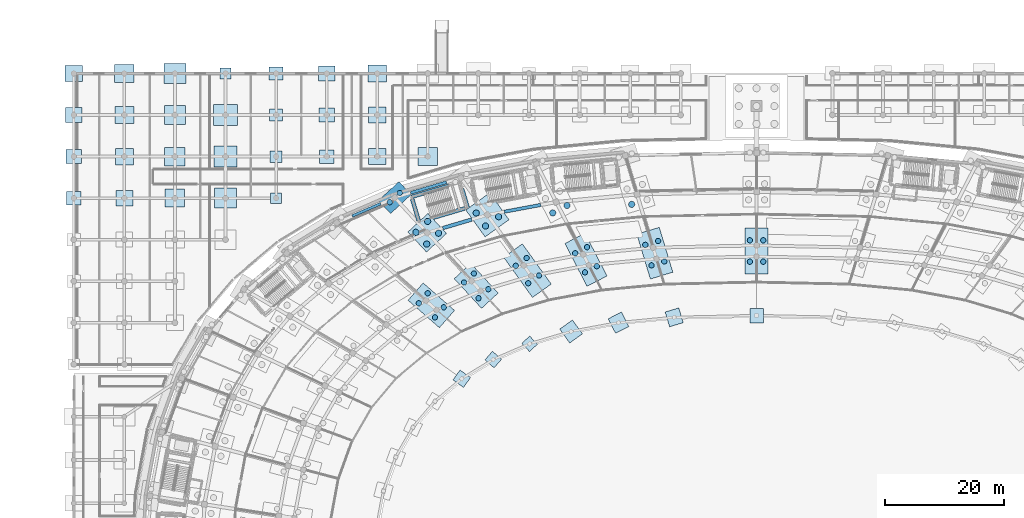
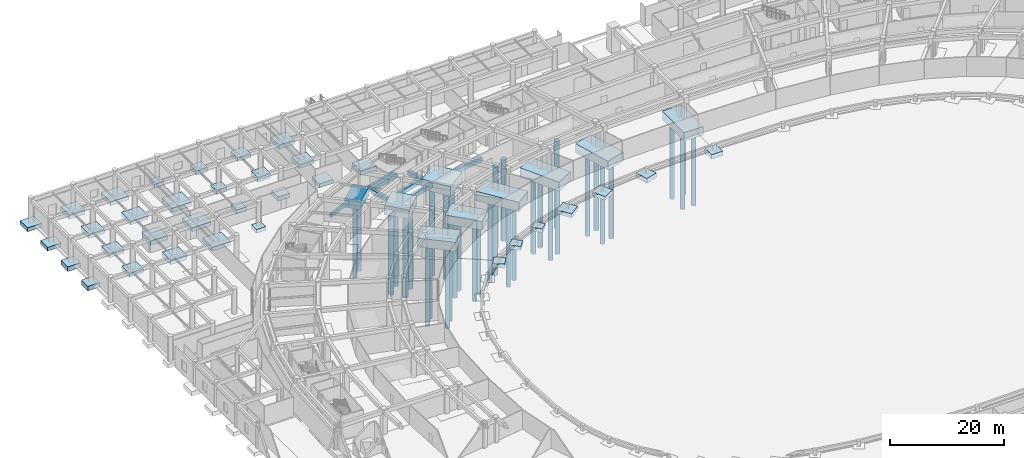
# One storey, part 10 of 88: 51 footings, 36 piles.
"""IFC4 building model written with IfcOpenShell, lengths in metres."""

from ifc_helpers import new_model, si_unit, direction, frame, origin, origin_2d, place, context, subcontext, project, spatial, rectangle, circle, extrude, material, material_profile, profile_set, type_object, element, save


model = new_model("IFC4")

# Units and contexts
model_context = context("Model", 3, precision=1e-05, world=origin(), true_north=direction((0.0, 1.0)))
body_context = subcontext(model_context, "Body", "Model", "MODEL_VIEW")
ifc_project = project(units=[si_unit("LENGTHUNIT", "METRE"), si_unit("AREAUNIT", "SQUARE_METRE"), si_unit("VOLUMEUNIT", "CUBIC_METRE"), si_unit("PLANEANGLEUNIT", "RADIAN"), si_unit("MASSUNIT", "GRAM", prefix="KILO")], contexts=[model_context])

# Site, building, storey
site_placement = place(None, origin())
site = spatial("IfcSite", under=ifc_project, at=site_placement, CompositionType="ELEMENT")
building_placement = place(site_placement, origin())
building = spatial("IfcBuilding", under=site, at=building_placement, Name="Mphavela Belvedere Stadium", CompositionType="ELEMENT")
storey_placement = place(building_placement, origin())
storey = spatial("IfcBuildingStorey", under=building, at=storey_placement, Name="L00", CompositionType="ELEMENT", Elevation=0.0)

# Footings
ifc_material_1 = material(Name="Concrete C35/45", Category="concrete")
footing_type_1 = type_object("IfcFootingType", Name="FTG-CORE-CF06", PredefinedType="PAD_FOOTING", material=ifc_material_1)
footing_1_placement = place(storey_placement, frame((65.869384765625, 152.991455078125, -0.89990234375), z_axis=(0.0, 0.0, 1.0), x_axis=(-0.284517342588, 0.958670893355, 0.0)))
element("IfcFooting", 1, at=footing_1_placement, inside=storey, type_object=footing_type_1, Name="Core P03 shear wall foundation pad right", PredefinedType="PAD_FOOTING", context=body_context, shape_type="SweptSolid", body=[
    extrude(rectangle(XDim=3.25, YDim=0.64990234375, at=origin_2d()), origin(), (0.0, 0.0, 1.0), 0.89990234375),
])
ifc_material_2 = material(Name="Concrete C35/45", Category="concrete")
footing_type_2 = type_object("IfcFootingType", Name="FTG-CORE-CF08", PredefinedType="PAD_FOOTING", material=ifc_material_2)
footing_2_placement = place(storey_placement, frame((57.540283203125, 151.039794921875, -0.89990234375), z_axis=(0.0, 0.0, 1.0), x_axis=(-0.284517342588, 0.958670893355, 0.0)))
element("IfcFooting", 2, at=footing_2_placement, inside=storey, type_object=footing_type_2, Name="Core P03 shear wall foundation pad left", PredefinedType="PAD_FOOTING", context=body_context, shape_type="SweptSolid", body=[
    extrude(rectangle(XDim=3.75, YDim=0.64990234375, at=origin_2d()), origin(), (0.0, 0.0, 1.0), 0.89990234375),
])
ifc_material_3 = material(Name="Concrete C35/45", Category="concrete")
footing_type_3 = type_object("IfcFootingType", Name="FTG-CORE-CF12", PredefinedType="PAD_FOOTING", material=ifc_material_3)
footing_3_placement = place(storey_placement, frame((63.22412109375, 150.4921875, -0.89990234375), z_axis=(0.0, 0.0, 1.0), x_axis=(0.958670893355, 0.284517342588, 0.0)))
element("IfcFooting", 3, at=footing_3_placement, inside=storey, type_object=footing_type_3, Name="Core P03 shear wall foundation pad front", PredefinedType="PAD_FOOTING", context=body_context, shape_type="SweptSolid", body=[
    extrude(rectangle(XDim=5.5, YDim=0.64990234375, at=origin_2d()), origin(), (0.0, 0.0, 1.0), 0.89990234375),
])
ifc_material_4 = material(Name="Concrete C35/45", Category="concrete")
footing_type_4 = type_object("IfcFootingType", Name="FTG-CORE-CF16", PredefinedType="PAD_FOOTING", material=ifc_material_4)
footing_4_placement = place(storey_placement, frame((60.02978515625, 154.144287109375, -0.89990234375), z_axis=(0.0, 0.0, 1.0), x_axis=(0.958670893355, 0.284517342588, 0.0)))
element("IfcFooting", 4, at=footing_4_placement, inside=storey, type_object=footing_type_4, Name="Core P03 shear wall foundation pad rear", PredefinedType="PAD_FOOTING", context=body_context, shape_type="SweptSolid", body=[
    extrude(rectangle(XDim=6.5, YDim=0.64990234375, at=origin_2d()), origin(), (0.0, 0.0, 1.0), 0.89990234375),
])
ifc_material_5 = material(Name="Concrete C35/45", Category="concrete")
ifc_material_profile_1 = material_profile(ifc_material_5, rectangle(XDim=0.449951171875, YDim=0.75, at=origin_2d()), Name="GB 450x750")
ifc_profile_set_1 = profile_set([ifc_material_profile_1], Name="Concrete C35/45")
footing_type_5 = type_object("IfcFootingType", Name="FTG-GB-01", PredefinedType="FOOTING_BEAM", material=ifc_profile_set_1)
footing_5_placement = place(storey_placement, frame((51.673828125, 152.055908203125, -0.5), z_axis=(-0.91748716099, -0.397765394949, 0.0), x_axis=(0.397765394949, -0.91748716099, 0.0)))
element("IfcFooting", 5, at=footing_5_placement, inside=storey, type_object=footing_type_5, Name="Ground tie-beam R4-17", PredefinedType="FOOTING_BEAM", context=body_context, shape_type="SweptSolid", body=[
    extrude(rectangle(XDim=0.449951171875, YDim=0.75, at=origin_2d()), origin(), (0.0, 0.0, 1.0), 5.204833984375),
])
ifc_material_6 = material(Name="Concrete C35/45", Category="concrete")
ifc_material_profile_2 = material_profile(ifc_material_6, rectangle(XDim=0.5, YDim=0.800048828125, at=origin_2d()), Name="GB 500x800")
ifc_profile_set_2 = profile_set([ifc_material_profile_2], Name="Concrete C35/45")
footing_type_6 = type_object("IfcFootingType", Name="FTG-GB-02", PredefinedType="FOOTING_BEAM", material=ifc_profile_set_2)
footing_6_placement = place(storey_placement, frame((62.77294921875, 155.6767578125, -0.5), z_axis=(-0.958663693335, -0.284541601671, 0.0), x_axis=(0.284541601671, -0.958663693335, 0.0)))
element("IfcFooting", 6, at=footing_6_placement, inside=storey, type_object=footing_type_6, Name="Ground tie-beam R4-16", PredefinedType="FOOTING_BEAM", context=body_context, shape_type="SweptSolid", body=[
    extrude(rectangle(XDim=0.5, YDim=0.800048828125, at=origin_2d()), origin(), (0.0, 0.0, 1.0), 6.30810546875),
])
ifc_material_7 = material(Name="Concrete C35/45", Category="concrete")
ifc_material_profile_3 = material_profile(ifc_material_7, rectangle(XDim=0.550048828125, YDim=0.85009765625, at=origin_2d()), Name="GB 550x850")
ifc_profile_set_3 = profile_set([ifc_material_profile_3], Name="Concrete C35/45")
footing_type_7 = type_object("IfcFootingType", Name="FTG-GB-03", PredefinedType="FOOTING_BEAM", material=ifc_profile_set_3)
footing_7_placement = place(storey_placement, frame((78.648681640625, 151.85107421875, -0.550048828125), z_axis=(-0.983093519993, -0.18310415328, 0.0), x_axis=(0.18310415328, -0.983093519993, 0.0)))
element("IfcFooting", 7, at=footing_7_placement, inside=storey, type_object=footing_type_7, Name="Ground tie-beam R3-15", PredefinedType="FOOTING_BEAM", context=body_context, shape_type="SweptSolid", body=[
    extrude(rectangle(XDim=0.550048828125, YDim=0.85009765625, at=origin_2d()), origin(), (0.0, 0.0, 1.0), 6.236083984375),
])
ifc_material_8 = material(Name="Concrete C35/45", Category="concrete")
ifc_material_profile_4 = material_profile(ifc_material_8, rectangle(XDim=0.60009765625, YDim=0.89990234375, at=origin_2d()), Name="GB 600x900")
ifc_profile_set_4 = profile_set([ifc_material_profile_4], Name="Concrete C35/45")
footing_type_8 = type_object("IfcFootingType", Name="FTG-GB-04", PredefinedType="FOOTING_BEAM", material=ifc_profile_set_4)
footing_8_placement = place(storey_placement, frame((67.01171875, 149.390625, -0.550048828125), z_axis=(-0.958664744545, -0.28453805996, 0.0), x_axis=(0.28453805996, -0.958664744545, 0.0)))
element("IfcFooting", 8, at=footing_8_placement, inside=storey, type_object=footing_type_8, Name="Ground tie-beam R3-16", PredefinedType="FOOTING_BEAM", context=body_context, shape_type="SweptSolid", body=[
    extrude(rectangle(XDim=0.60009765625, YDim=0.89990234375, at=origin_2d()), origin(), (0.0, 0.0, 1.0), 5.06396484375),
])
ifc_material_9 = material(Name="Concrete C35/45", Category="concrete")
footing_type_9 = type_object("IfcFootingType", Name="FTG-PAD-01", PredefinedType="PAD_FOOTING", material=ifc_material_9)
for number, where, z_axis, x_axis, name in (
    (9, (76.770263671875, 128.462890625, -0.7998046875), (0.0, 0.0, 1.0), (-0.677903094969, 0.735151272753, 0.0), "Tier front pad footing 17"),
    (10, (25.555908203125, 174.0, -0.7998046875), (0.0, 0.0, 1.0), (1.0, 0.0, 0.0), "North Mast and Ceremonial End Forecourt pad footing 4-8"),
    (11, (34.073974609375, 153.0, -0.7998046875), (0.0, 0.0, 1.0), (1.0, 0.0, 0.0), "North Mast and Ceremonial End Forecourt pad footing 5-5"),
):
    element("IfcFooting", number, at=place(storey_placement, frame(where, z_axis=z_axis, x_axis=x_axis)), inside=storey, type_object=footing_type_9, Name=name, PredefinedType="PAD_FOOTING", context=body_context, shape_type="SweptSolid", body=[
        extrude(rectangle(XDim=1.89990234375, YDim=1.800048828125, at=origin_2d()), origin(), (0.0, 0.0, 1.0), 0.800048828125),
    ])
ifc_material_10 = material(Name="Concrete C35/45", Category="concrete")
footing_type_10 = type_object("IfcFootingType", Name="FTG-PAD-02", PredefinedType="PAD_FOOTING", material=ifc_material_10)
for number, where, z_axis, x_axis, name in (
    (12, (70.648193359375, 125.80908203125, -0.83984375), (0.0, 0.0, 1.0), (-0.752529860433, 0.658558128912, 0.0), "Tier front pad footing 18"),
    (13, (34.073974609375, 160.0, -0.83984375), (0.0, 0.0, 1.0), (1.0, 0.0, 0.0), "North Mast and Ceremonial End Forecourt pad footing 5-6"),
):
    element("IfcFooting", number, at=place(storey_placement, frame(where, z_axis=z_axis, x_axis=x_axis)), inside=storey, type_object=footing_type_10, Name=name, PredefinedType="PAD_FOOTING", context=body_context, shape_type="SweptSolid", body=[
        extrude(rectangle(XDim=2.0400390625, YDim=1.919921875, at=origin_2d()), origin(), (0.0, 0.0, 1.0), 0.840087890625),
    ])
ifc_material_11 = material(Name="Concrete C35/45", Category="concrete")
footing_type_11 = type_object("IfcFootingType", Name="FTG-PAD-03", PredefinedType="PAD_FOOTING", material=ifc_material_11)
for number, where, z_axis, x_axis, name in (
    (14, (65.341064453125, 122.580322265625, -0.8798828125), (0.0, 0.0, 1.0), (-0.812897512265, 0.582406760395, 0.0), "Tier front pad footing 19"),
    (15, (34.073974609375, 167.0, -0.8798828125), (0.0, 0.0, 1.0), (1.0, 0.0, 0.0), "North Mast and Ceremonial End Forecourt pad footing 5-7"),
):
    element("IfcFooting", number, at=place(storey_placement, frame(where, z_axis=z_axis, x_axis=x_axis)), inside=storey, type_object=footing_type_11, Name=name, PredefinedType="PAD_FOOTING", context=body_context, shape_type="SweptSolid", body=[
        extrude(rectangle(XDim=2.179931640625, YDim=2.0400390625, at=origin_2d()), origin(), (0.0, 0.0, 1.0), 0.8798828125),
    ])
ifc_material_12 = material(Name="Concrete C35/45", Category="concrete")
footing_type_12 = type_object("IfcFootingType", Name="FTG-PAD-04", PredefinedType="PAD_FOOTING", material=ifc_material_12)
footing_9_placement = place(storey_placement, frame((34.073974609375, 174.0, -0.919921875), z_axis=(0.0, 0.0, 1.0), x_axis=(1.0, 0.0, 0.0)))
element("IfcFooting", 16, at=footing_9_placement, inside=storey, type_object=footing_type_12, Name="North Mast and Ceremonial End Forecourt pad footing 5-8", PredefinedType="PAD_FOOTING", context=body_context, shape_type="SweptSolid", body=[
    extrude(rectangle(XDim=2.320068359375, YDim=2.159912109375, at=origin_2d()), origin(), (0.0, 0.0, 1.0), 0.919921875),
])
ifc_material_13 = material(Name="Concrete C35/45", Category="concrete")
footing_type_13 = type_object("IfcFootingType", Name="FTG-PAD-05", PredefinedType="PAD_FOOTING", material=ifc_material_13)
for number, where, z_axis, x_axis, name in (
    (17, (115.0, 133.217529296875, -0.9599609375), (0.0, 0.0, 1.0), (0.0, 1.0, 0.0), "Tier front pad footing 13"),
    (18, (0.0, 153.0, -0.9599609375), (0.0, 0.0, 1.0), (1.0, 0.0, 0.0), "North Mast and Ceremonial End Forecourt pad footing 1-5"),
    (19, (42.593017578125, 160.0, -0.9599609375), (0.0, 0.0, 1.0), (1.0, 0.0, 0.0), "North Mast and Ceremonial End Forecourt pad footing 6-6"),
):
    element("IfcFooting", number, at=place(storey_placement, frame(where, z_axis=z_axis, x_axis=x_axis)), inside=storey, type_object=footing_type_13, Name=name, PredefinedType="PAD_FOOTING", context=body_context, shape_type="SweptSolid", body=[
        extrude(rectangle(XDim=2.4599609375, YDim=2.280029296875, at=origin_2d()), origin(), (0.0, 0.0, 1.0), 0.9599609375),
    ])
ifc_material_14 = material(Name="Concrete C35/45", Category="concrete")
footing_type_14 = type_object("IfcFootingType", Name="FTG-PAD-06", PredefinedType="PAD_FOOTING", material=ifc_material_14)
for number, where, z_axis, x_axis, name in (
    (20, (101.126220703125, 132.918701171875, -1.0), (0.0, 0.0, 1.0), (-0.289198876314, 0.957269037387, 0.0), "Tier front pad footing 14"),
    (21, (0.0, 160.0, -1.0), (0.0, 0.0, 1.0), (1.0, 0.0, 0.0), "North Mast and Ceremonial End Forecourt pad footing 1-6"),
    (22, (42.593017578125, 167.0, -1.0), (0.0, 0.0, 1.0), (1.0, 0.0, 0.0), "North Mast and Ceremonial End Forecourt pad footing 6-7"),
):
    element("IfcFooting", number, at=place(storey_placement, frame(where, z_axis=z_axis, x_axis=x_axis)), inside=storey, type_object=footing_type_14, Name=name, PredefinedType="PAD_FOOTING", context=body_context, shape_type="SweptSolid", body=[
        extrude(rectangle(XDim=2.60009765625, YDim=2.39990234375, at=origin_2d()), origin(), (0.0, 0.0, 1.0), 1.0),
    ])
ifc_material_15 = material(Name="Concrete C35/45", Category="concrete")
footing_type_15 = type_object("IfcFootingType", Name="FTG-PAD-07", PredefinedType="PAD_FOOTING", material=ifc_material_15)
for number, where, z_axis, x_axis, name in (
    (23, (91.741943359375, 132.02392578125, -0.7998046875), (0.0, 0.0, 1.0), (-0.458959712465, 0.888457079624, 0.0), "Tier front pad footing 15"),
    (24, (0.0, 167.0, -0.7998046875), (0.0, 0.0, 1.0), (1.0, 0.0, 0.0), "North Mast and Ceremonial End Forecourt pad footing 1-7"),
    (25, (42.593017578125, 174.0, -0.7998046875), (0.0, 0.0, 1.0), (1.0, 0.0, 0.0), "North Mast and Ceremonial End Forecourt pad footing 6-8"),
):
    element("IfcFooting", number, at=place(storey_placement, frame(where, z_axis=z_axis, x_axis=x_axis)), inside=storey, type_object=footing_type_15, Name=name, PredefinedType="PAD_FOOTING", context=body_context, shape_type="SweptSolid", body=[
        extrude(rectangle(XDim=2.739990234375, YDim=2.52001953125, at=origin_2d()), origin(), (0.0, 0.0, 1.0), 0.800048828125),
    ])
ifc_material_16 = material(Name="Concrete C35/45", Category="concrete")
footing_type_16 = type_object("IfcFootingType", Name="FTG-PAD-08", PredefinedType="PAD_FOOTING", material=ifc_material_16)
for number, where, z_axis, x_axis, name in (
    (26, (83.7568359375, 130.53662109375, -0.83984375), (0.0, 0.0, 1.0), (-0.582974127943, 0.812490717577, 0.0), "Tier front pad footing 16"),
    (27, (0.0, 174.0, -0.83984375), (0.0, 0.0, 1.0), (1.0, 0.0, 0.0), "North Mast and Ceremonial End Forecourt pad footing 1-8"),
    (28, (8.51904296875, 153.0, -0.83984375), (0.0, 0.0, 1.0), (1.0, 0.0, 0.0), "North Mast and Ceremonial End Forecourt pad footing 2-5"),
    (29, (51.111083984375, 160.0, -0.83984375), (0.0, 0.0, 1.0), (1.0, 0.0, 0.0), "North Mast and Ceremonial End Forecourt pad footing 7-6"),
):
    element("IfcFooting", number, at=place(storey_placement, frame(where, z_axis=z_axis, x_axis=x_axis)), inside=storey, type_object=footing_type_16, Name=name, PredefinedType="PAD_FOOTING", context=body_context, shape_type="SweptSolid", body=[
        extrude(rectangle(XDim=2.8798828125, YDim=2.639892578125, at=origin_2d()), origin(), (0.0, 0.0, 1.0), 0.840087890625),
    ])
ifc_material_17 = material(Name="Concrete C35/45", Category="concrete")
footing_type_17 = type_object("IfcFootingType", Name="FTG-PAD-09", PredefinedType="PAD_FOOTING", material=ifc_material_17)
for number, where, z_axis, x_axis, name in (
    (30, (8.51904296875, 160.0, -0.8798828125), (0.0, 0.0, 1.0), (1.0, 0.0, 0.0), "North Mast and Ceremonial End Forecourt pad footing 2-6"),
    (31, (51.111083984375, 167.0, -0.8798828125), (0.0, 0.0, 1.0), (1.0, 0.0, 0.0), "North Mast and Ceremonial End Forecourt pad footing 7-7"),
):
    element("IfcFooting", number, at=place(storey_placement, frame(where, z_axis=z_axis, x_axis=x_axis)), inside=storey, type_object=footing_type_17, Name=name, PredefinedType="PAD_FOOTING", context=body_context, shape_type="SweptSolid", body=[
        extrude(rectangle(XDim=3.02001953125, YDim=2.760009765625, at=origin_2d()), origin(), (0.0, 0.0, 1.0), 0.8798828125),
    ])
ifc_material_18 = material(Name="Concrete C35/45", Category="concrete")
footing_type_18 = type_object("IfcFootingType", Name="FTG-PAD-10", PredefinedType="PAD_FOOTING", material=ifc_material_18)
for number, where, z_axis, x_axis, name in (
    (32, (8.51904296875, 167.0, -0.919921875), (0.0, 0.0, 1.0), (1.0, 0.0, 0.0), "North Mast and Ceremonial End Forecourt pad footing 2-7"),
    (33, (51.111083984375, 174.0, -0.919921875), (0.0, 0.0, 1.0), (1.0, 0.0, 0.0), "North Mast and Ceremonial End Forecourt pad footing 7-8"),
):
    element("IfcFooting", number, at=place(storey_placement, frame(where, z_axis=z_axis, x_axis=x_axis)), inside=storey, type_object=footing_type_18, Name=name, PredefinedType="PAD_FOOTING", context=body_context, shape_type="SweptSolid", body=[
        extrude(rectangle(XDim=3.159912109375, YDim=2.8798828125, at=origin_2d()), origin(), (0.0, 0.0, 1.0), 0.919921875),
    ])
ifc_material_19 = material(Name="Concrete C35/45", Category="concrete")
footing_type_19 = type_object("IfcFootingType", Name="FTG-PAD-11", PredefinedType="PAD_FOOTING", material=ifc_material_19)
for number, where, z_axis, x_axis, name in (
    (34, (8.51904296875, 174.0, -0.9599609375), (0.0, 0.0, 1.0), (1.0, 0.0, 0.0), "North Mast and Ceremonial End Forecourt pad footing 2-8"),
    (35, (17.037109375, 153.0, -0.9599609375), (0.0, 0.0, 1.0), (1.0, 0.0, 0.0), "North Mast and Ceremonial End Forecourt pad footing 3-5"),
    (36, (59.6298828125, 160.0, -0.9599609375), (0.0, 0.0, 1.0), (1.0, 0.0, 0.0), "North Mast and Ceremonial End Forecourt pad footing 8-6"),
):
    element("IfcFooting", number, at=place(storey_placement, frame(where, z_axis=z_axis, x_axis=x_axis)), inside=storey, type_object=footing_type_19, Name=name, PredefinedType="PAD_FOOTING", context=body_context, shape_type="SweptSolid", body=[
        extrude(rectangle(XDim=3.300048828125, YDim=3.0, at=origin_2d()), origin(), (0.0, 0.0, 1.0), 0.9599609375),
    ])
ifc_material_20 = material(Name="Concrete C35/45", Category="concrete")
footing_type_20 = type_object("IfcFootingType", Name="FTG-PAD-12", PredefinedType="PAD_FOOTING", material=ifc_material_20)
footing_10_placement = place(storey_placement, frame((17.037109375, 160.0, -1.0), z_axis=(0.0, 0.0, 1.0), x_axis=(1.0, 0.0, 0.0)))
element("IfcFooting", 37, at=footing_10_placement, inside=storey, type_object=footing_type_20, Name="North Mast and Ceremonial End Forecourt pad footing 3-6", PredefinedType="PAD_FOOTING", context=body_context, shape_type="SweptSolid", body=[
    extrude(rectangle(XDim=3.43994140625, YDim=3.1201171875, at=origin_2d()), origin(), (0.0, 0.0, 1.0), 1.0),
])
ifc_material_21 = material(Name="Concrete C35/45", Category="concrete")
footing_type_21 = type_object("IfcFootingType", Name="FTG-PAD-13", PredefinedType="PAD_FOOTING", material=ifc_material_21)
footing_11_placement = place(storey_placement, frame((17.037109375, 167.0, -0.7998046875), z_axis=(0.0, 0.0, 1.0), x_axis=(1.0, 0.0, 0.0)))
element("IfcFooting", 38, at=footing_11_placement, inside=storey, type_object=footing_type_21, Name="North Mast and Ceremonial End Forecourt pad footing 3-7", PredefinedType="PAD_FOOTING", context=body_context, shape_type="SweptSolid", body=[
    extrude(rectangle(XDim=3.580078125, YDim=3.239990234375, at=origin_2d()), origin(), (0.0, 0.0, 1.0), 0.800048828125),
])
ifc_material_22 = material(Name="Concrete C35/45", Category="concrete")
footing_type_22 = type_object("IfcFootingType", Name="FTG-PAD-14", PredefinedType="PAD_FOOTING", material=ifc_material_22)
for number, where, z_axis, x_axis, name in (
    (39, (17.037109375, 174.0, -0.83984375), (0.0, 0.0, 1.0), (1.0, 0.0, 0.0), "North Mast and Ceremonial End Forecourt pad footing 3-8"),
    (40, (25.555908203125, 153.0, -0.83984375), (0.0, 0.0, 1.0), (1.0, 0.0, 0.0), "North Mast and Ceremonial End Forecourt pad footing 4-5"),
):
    element("IfcFooting", number, at=place(storey_placement, frame(where, z_axis=z_axis, x_axis=x_axis)), inside=storey, type_object=footing_type_22, Name=name, PredefinedType="PAD_FOOTING", context=body_context, shape_type="SweptSolid", body=[
        extrude(rectangle(XDim=3.719970703125, YDim=3.360107421875, at=origin_2d()), origin(), (0.0, 0.0, 1.0), 0.840087890625),
    ])
ifc_material_23 = material(Name="Concrete C35/45", Category="concrete")
footing_type_23 = type_object("IfcFootingType", Name="FTG-PAD-15", PredefinedType="PAD_FOOTING", material=ifc_material_23)
footing_12_placement = place(storey_placement, frame((25.555908203125, 160.0, -0.8798828125), z_axis=(0.0, 0.0, 1.0), x_axis=(1.0, 0.0, 0.0)))
element("IfcFooting", 41, at=footing_12_placement, inside=storey, type_object=footing_type_23, Name="North Mast and Ceremonial End Forecourt pad footing 4-6", PredefinedType="PAD_FOOTING", context=body_context, shape_type="SweptSolid", body=[
    extrude(rectangle(XDim=3.860107421875, YDim=3.47998046875, at=origin_2d()), origin(), (0.0, 0.0, 1.0), 0.8798828125),
])
ifc_material_24 = material(Name="Concrete C35/45", Category="concrete")
footing_type_24 = type_object("IfcFootingType", Name="FTG-PAD-16", PredefinedType="PAD_FOOTING", material=ifc_material_24)
footing_13_placement = place(storey_placement, frame((25.555908203125, 167.0, -0.919921875), z_axis=(0.0, 0.0, 1.0), x_axis=(1.0, 0.0, 0.0)))
element("IfcFooting", 42, at=footing_13_placement, inside=storey, type_object=footing_type_24, Name="North Mast and Ceremonial End Forecourt pad footing 4-7", PredefinedType="PAD_FOOTING", context=body_context, shape_type="SweptSolid", body=[
    extrude(rectangle(XDim=4.0, YDim=3.60009765625, at=origin_2d()), origin(), (0.0, 0.0, 1.0), 0.919921875),
])
ifc_material_25 = material(Name="Concrete C35/45", Category="concrete")
footing_type_25 = type_object("IfcFootingType", Name="FTG-PC-R12-01", PredefinedType="PILE_CAP", material=ifc_material_25)
footing_14_placement = place(storey_placement, frame((67.7734375, 138.220703125, -1.85009765625), z_axis=(0.0, 0.0, 1.0), x_axis=(-0.677903094969, 0.735151272753, 0.0)))
element("IfcFooting", 43, at=footing_14_placement, inside=storey, type_object=footing_type_25, Name="Bowl inner pile cap 17", PredefinedType="PILE_CAP", context=body_context, shape_type="SweptSolid", body=[
    extrude(rectangle(XDim=6.800048828125, YDim=3.800048828125, at=origin_2d()), origin(), (0.0, 0.0, 1.0), 1.85009765625),
])
ifc_material_26 = material(Name="Concrete C35/45", Category="concrete")
footing_type_26 = type_object("IfcFootingType", Name="FTG-PC-R12-02", PredefinedType="PILE_CAP", material=ifc_material_26)
footing_15_placement = place(storey_placement, frame((60.21044921875, 134.9423828125, -1.91015625), z_axis=(0.0, 0.0, 1.0), x_axis=(-0.752529860433, 0.658558128912, 0.0)))
element("IfcFooting", 44, at=footing_15_placement, inside=storey, type_object=footing_type_26, Name="Bowl inner pile cap 18", PredefinedType="PILE_CAP", context=body_context, shape_type="SweptSolid", body=[
    extrude(rectangle(XDim=7.02001953125, YDim=3.8798828125, at=origin_2d()), origin(), (0.0, 0.0, 1.0), 1.909912109375),
])
ifc_material_27 = material(Name="Concrete C35/45", Category="concrete")
footing_type_27 = type_object("IfcFootingType", Name="FTG-PC-R12-05", PredefinedType="PILE_CAP", material=ifc_material_27)
footing_16_placement = place(storey_placement, frame((115.0, 144.09423828125, -1.85009765625), z_axis=(0.0, 0.0, 1.0), x_axis=(0.0, 1.0, 0.0)))
element("IfcFooting", 45, at=footing_16_placement, inside=storey, type_object=footing_type_27, Name="Bowl inner pile cap 13", PredefinedType="PILE_CAP", context=body_context, shape_type="SweptSolid", body=[
    extrude(rectangle(XDim=7.679931640625, YDim=3.8798828125, at=origin_2d()), origin(), (0.0, 0.0, 1.0), 1.85009765625),
])
ifc_material_28 = material(Name="Concrete C35/45", Category="concrete")
footing_type_28 = type_object("IfcFootingType", Name="FTG-PC-R12-06", PredefinedType="PILE_CAP", material=ifc_material_28)
footing_17_placement = place(storey_placement, frame((97.861083984375, 143.72509765625, -1.91015625), z_axis=(0.0, 0.0, 1.0), x_axis=(-0.289198876314, 0.957269037387, 0.0)))
element("IfcFooting", 46, at=footing_17_placement, inside=storey, type_object=footing_type_28, Name="Bowl inner pile cap 14", PredefinedType="PILE_CAP", context=body_context, shape_type="SweptSolid", body=[
    extrude(rectangle(XDim=7.89990234375, YDim=3.9599609375, at=origin_2d()), origin(), (0.0, 0.0, 1.0), 1.909912109375),
])
ifc_material_29 = material(Name="Concrete C35/45", Category="concrete")
footing_type_29 = type_object("IfcFootingType", Name="FTG-PC-R12-07", PredefinedType="PILE_CAP", material=ifc_material_29)
footing_18_placement = place(storey_placement, frame((86.2685546875, 142.619873046875, -1.97021484375), z_axis=(0.0, 0.0, 1.0), x_axis=(-0.458959712465, 0.888457079624, 0.0)))
element("IfcFooting", 47, at=footing_18_placement, inside=storey, type_object=footing_type_29, Name="Bowl inner pile cap 15", PredefinedType="PILE_CAP", context=body_context, shape_type="SweptSolid", body=[
    extrude(rectangle(XDim=8.1201171875, YDim=3.800048828125, at=origin_2d()), origin(), (0.0, 0.0, 1.0), 1.969970703125),
])
ifc_material_30 = material(Name="Concrete C35/45", Category="concrete")
footing_type_30 = type_object("IfcFootingType", Name="FTG-PC-R12-08", PredefinedType="PILE_CAP", material=ifc_material_30)
footing_19_placement = place(storey_placement, frame((76.404052734375, 140.78271484375, -2.02978515625), z_axis=(0.0, 0.0, 1.0), x_axis=(-0.582974127943, 0.812490717577, 0.0)))
element("IfcFooting", 48, at=footing_19_placement, inside=storey, type_object=footing_type_30, Name="Bowl inner pile cap 16", PredefinedType="PILE_CAP", context=body_context, shape_type="SweptSolid", body=[
    extrude(rectangle(XDim=8.340087890625, YDim=3.8798828125, at=origin_2d()), origin(), (0.0, 0.0, 1.0), 2.030029296875),
])
ifc_material_31 = material(Name="Concrete C35/45", Category="concrete")
footing_type_31 = type_object("IfcFootingType", Name="FTG-PC-R3-01", PredefinedType="PILE_CAP", material=ifc_material_31)
footing_20_placement = place(storey_placement, frame((59.523681640625, 147.16796875, -1.9501953125), z_axis=(0.0, 0.0, 1.0), x_axis=(-0.677903094969, 0.735151272753, 0.0)))
element("IfcFooting", 49, at=footing_20_placement, inside=storey, type_object=footing_type_31, Name="Bowl main pile cap 17", PredefinedType="PILE_CAP", context=body_context, shape_type="SweptSolid", body=[
    extrude(rectangle(XDim=4.60009765625, YDim=4.60009765625, at=origin_2d()), origin(), (0.0, 0.0, 1.0), 1.949951171875),
])
ifc_material_32 = material(Name="Concrete C35/45", Category="concrete")
footing_type_32 = type_object("IfcFootingType", Name="FTG-PC-R3-08", PredefinedType="PILE_CAP", material=ifc_material_32)
footing_21_placement = place(storey_placement, frame((69.662109375, 150.177490234375, -2.1298828125), z_axis=(0.0, 0.0, 1.0), x_axis=(-0.582974127943, 0.812490717577, 0.0)))
element("IfcFooting", 50, at=footing_21_placement, inside=storey, type_object=footing_type_32, Name="Bowl main pile cap 16", PredefinedType="PILE_CAP", context=body_context, shape_type="SweptSolid", body=[
    extrude(rectangle(XDim=5.580078125, YDim=4.9599609375, at=origin_2d()), origin(), (0.0, 0.0, 1.0), 2.1298828125),
])
ifc_material_33 = material(Name="Concrete C35/45", Category="concrete")
footing_type_33 = type_object("IfcFootingType", Name="FTG-PC-R4-05", PredefinedType="PILE_CAP", material=ifc_material_33)
footing_22_placement = place(storey_placement, frame((54.0625, 153.09130859375, -1.85986328125), z_axis=(0.0, 0.0, 1.0), x_axis=(-0.735151272753, -0.677903094969, 0.0)))
element("IfcFooting", 51, at=footing_22_placement, inside=storey, type_object=footing_type_33, Name="Perimeter colonnade pile cap 17", PredefinedType="PILE_CAP", context=body_context, shape_type="SweptSolid", body=[
    extrude(rectangle(XDim=4.699951171875, YDim=3.0, at=origin_2d()), origin(), (0.0, 0.0, 1.0), 1.860107421875),
])

# Piles
ifc_material_34 = material(Name="Concrete C35/45", Category="concrete")
ifc_material_profile_5 = material_profile(ifc_material_34, circle(Radius=0.52490234375, at=origin_2d()), Name="BP D1050")
ifc_profile_set_5 = profile_set([ifc_material_profile_5], Name="Concrete C35/45")
pile_type_1 = type_object("IfcPileType", Name="PIL-BP1050-A", PredefinedType="BORED", material=ifc_profile_set_5)
for number, where, z_axis, x_axis, name in (
    (52, (83.068603515625, 151.755615234375, -1.969970703125), (0.0, 0.0, -1.0), (1.0, 0.0, 0.0), "Bored pile R3-15-1"),
    (53, (80.669921875, 150.5166015625, -1.969970703125), (0.0, 0.0, -1.0), (1.0, 0.0, 0.0), "Bored pile R3-15-2"),
    (54, (61.431396484375, 147.090576171875, -1.85009765625), (0.0, 0.0, -1.0), (1.0, 0.0, 0.0), "Bored pile R3-17-1"),
    (55, (59.4462890625, 145.260498046875, -1.85009765625), (0.0, 0.0, -1.0), (1.0, 0.0, 0.0), "Bored pile R3-17-2"),
    (56, (59.601318359375, 149.07568359375, -1.85009765625), (0.0, 0.0, -1.0), (1.0, 0.0, 0.0), "Bored pile R3-17-3"),
    (57, (57.6162109375, 147.245361328125, -1.85009765625), (0.0, 0.0, -1.0), (1.0, 0.0, 0.0), "Bored pile R3-17-4"),
):
    element("IfcPile", number, at=place(storey_placement, frame(where, z_axis=z_axis, x_axis=x_axis)), inside=storey, type_object=pile_type_1, Name=name, PredefinedType="BORED", context=body_context, shape_type="SweptSolid", body=[
        extrude(circle(Radius=0.52490234375, at=origin_2d()), origin(), (0.0, 0.0, 1.0), 17.5),
    ])
ifc_material_35 = material(Name="Concrete C35/45", Category="concrete")
ifc_material_profile_6 = material_profile(ifc_material_35, circle(Radius=0.52490234375, at=origin_2d()), Name="BP D1050")
ifc_profile_set_6 = profile_set([ifc_material_profile_6], Name="Concrete C35/45")
pile_type_2 = type_object("IfcPileType", Name="PIL-BP1050-B", PredefinedType="BORED", material=ifc_profile_set_6)
for number, where, z_axis, x_axis, name in (
    (58, (93.96533203125, 151.951171875, -1.909912109375), (0.0, 0.0, -1.0), (1.0, 0.0, 0.0), "Bored pile R3-14-2"),
    (59, (71.5458984375, 149.86767578125, -2.030029296875), (0.0, 0.0, -1.0), (1.0, 0.0, 0.0), "Bored pile R3-16-1"),
    (60, (69.352294921875, 148.29345703125, -2.030029296875), (0.0, 0.0, -1.0), (1.0, 0.0, 0.0), "Bored pile R3-16-2"),
    (61, (67.7783203125, 150.487060546875, -2.030029296875), (0.0, 0.0, -1.0), (1.0, 0.0, 0.0), "Bored pile R3-16-4"),
):
    element("IfcPile", number, at=place(storey_placement, frame(where, z_axis=z_axis, x_axis=x_axis)), inside=storey, type_object=pile_type_2, Name=name, PredefinedType="BORED", context=body_context, shape_type="SweptSolid", body=[
        extrude(circle(Radius=0.52490234375, at=origin_2d()), origin(), (0.0, 0.0, 1.0), 18.800048828125),
    ])
ifc_material_36 = material(Name="Concrete C35/45", Category="concrete")
ifc_material_profile_7 = material_profile(ifc_material_36, circle(Radius=0.449951171875, at=origin_2d()), Name="BP D900")
ifc_profile_set_7 = profile_set([ifc_material_profile_7], Name="Concrete C35/45")
pile_type_3 = type_object("IfcPileType", Name="PIL-BP900-A", PredefinedType="BORED", material=ifc_profile_set_7)
for number, where, z_axis, x_axis, name in (
    (62, (116.125, 142.294189453125, -1.75), (0.0, 0.0, -1.0), (1.0, 0.0, 0.0), "Bored pile R12-13-1"),
    (63, (113.875, 142.294189453125, -1.75), (0.0, 0.0, -1.0), (1.0, 0.0, 0.0), "Bored pile R12-13-2"),
    (64, (116.125, 145.894287109375, -1.75), (0.0, 0.0, -1.0), (1.0, 0.0, 0.0), "Bored pile R12-13-3"),
    (65, (113.875, 145.894287109375, -1.75), (0.0, 0.0, -1.0), (1.0, 0.0, 0.0), "Bored pile R12-13-4"),
    (66, (88.09423828125, 141.536865234375, -1.8701171875), (0.0, 0.0, -1.0), (1.0, 0.0, 0.0), "Bored pile R12-15-1"),
    (67, (86.09521484375, 140.504150390625, -1.8701171875), (0.0, 0.0, -1.0), (1.0, 0.0, 0.0), "Bored pile R12-15-2"),
    (68, (86.44189453125, 144.7353515625, -1.8701171875), (0.0, 0.0, -1.0), (1.0, 0.0, 0.0), "Bored pile R12-15-3"),
    (69, (84.443115234375, 143.70263671875, -1.8701171875), (0.0, 0.0, -1.0), (1.0, 0.0, 0.0), "Bored pile R12-15-4"),
    (70, (69.820556640625, 137.659912109375, -1.75), (0.0, 0.0, -1.0), (1.0, 0.0, 0.0), "Bored pile R12-17-1"),
    (71, (68.16650390625, 136.134765625, -1.75), (0.0, 0.0, -1.0), (1.0, 0.0, 0.0), "Bored pile R12-17-2"),
    (72, (67.38037109375, 140.306640625, -1.75), (0.0, 0.0, -1.0), (1.0, 0.0, 0.0), "Bored pile R12-17-3"),
    (73, (65.726318359375, 138.781494140625, -1.75), (0.0, 0.0, -1.0), (1.0, 0.0, 0.0), "Bored pile R12-17-4"),
):
    element("IfcPile", number, at=place(storey_placement, frame(where, z_axis=z_axis, x_axis=x_axis)), inside=storey, type_object=pile_type_3, Name=name, PredefinedType="BORED", context=body_context, shape_type="SweptSolid", body=[
        extrude(circle(Radius=0.449951171875, at=origin_2d()), origin(), (0.0, 0.0, 1.0), 16.0),
    ])
for number, where, z_axis, x_axis, name in (
    (74, (54.907958984375, 153.870849609375, -1.760009765625), (0.0, 0.0, -1.0), (1.0, 0.0, 0.0), "Bored pile R4-17-1"),
    (75, (53.216796875, 152.311767578125, -1.760009765625), (0.0, 0.0, -1.0), (1.0, 0.0, 0.0), "Bored pile R4-17-2"),
):
    element("IfcPile", number, at=place(storey_placement, frame(where, z_axis=z_axis, x_axis=x_axis)), inside=storey, type_object=pile_type_3, Name=name, PredefinedType="BORED", context=body_context, shape_type="SweptSolid", body=[
        extrude(circle(Radius=0.449951171875, at=origin_2d()), origin(), (0.0, 0.0, 1.0), 15.60009765625),
    ])
ifc_material_37 = material(Name="Concrete C35/45", Category="concrete")
ifc_material_profile_8 = material_profile(ifc_material_37, circle(Radius=0.449951171875, at=origin_2d()), Name="BP D900")
ifc_profile_set_8 = profile_set([ifc_material_profile_8], Name="Concrete C35/45")
pile_type_4 = type_object("IfcPileType", Name="PIL-BP900-B", PredefinedType="BORED", material=ifc_profile_set_8)
for number, where, z_axis, x_axis, name in (
    (76, (99.45849609375, 142.327392578125, -1.81005859375), (0.0, 0.0, -1.0), (1.0, 0.0, 0.0), "Bored pile R12-14-1"),
    (77, (97.3046875, 141.6767578125, -1.81005859375), (0.0, 0.0, -1.0), (1.0, 0.0, 0.0), "Bored pile R12-14-2"),
    (78, (98.41748046875, 145.773681640625, -1.81005859375), (0.0, 0.0, -1.0), (1.0, 0.0, 0.0), "Bored pile R12-14-3"),
    (79, (96.263671875, 145.122802734375, -1.81005859375), (0.0, 0.0, -1.0), (1.0, 0.0, 0.0), "Bored pile R12-14-4"),
    (80, (78.36767578125, 139.97607421875, -1.929931640625), (0.0, 0.0, -1.0), (1.0, 0.0, 0.0), "Bored pile R12-16-1"),
    (81, (76.53955078125, 138.664306640625, -1.929931640625), (0.0, 0.0, -1.0), (1.0, 0.0, 0.0), "Bored pile R12-16-2"),
    (82, (76.2685546875, 142.90087890625, -1.929931640625), (0.0, 0.0, -1.0), (1.0, 0.0, 0.0), "Bored pile R12-16-3"),
    (83, (74.440673828125, 141.589111328125, -1.929931640625), (0.0, 0.0, -1.0), (1.0, 0.0, 0.0), "Bored pile R12-16-4"),
    (84, (62.305908203125, 134.603515625, -1.81005859375), (0.0, 0.0, -1.0), (1.0, 0.0, 0.0), "Bored pile R12-18-1"),
    (85, (60.82421875, 132.910400390625, -1.81005859375), (0.0, 0.0, -1.0), (1.0, 0.0, 0.0), "Bored pile R12-18-2"),
    (86, (59.5966796875, 136.974365234375, -1.81005859375), (0.0, 0.0, -1.0), (1.0, 0.0, 0.0), "Bored pile R12-18-3"),
    (87, (58.114990234375, 135.281005859375, -1.81005859375), (0.0, 0.0, -1.0), (1.0, 0.0, 0.0), "Bored pile R12-18-4"),
):
    element("IfcPile", number, at=place(storey_placement, frame(where, z_axis=z_axis, x_axis=x_axis)), inside=storey, type_object=pile_type_4, Name=name, PredefinedType="BORED", context=body_context, shape_type="SweptSolid", body=[
        extrude(circle(Radius=0.449951171875, at=origin_2d()), origin(), (0.0, 0.0, 1.0), 17.199951171875),
    ])

save(model, "model.ifc")
